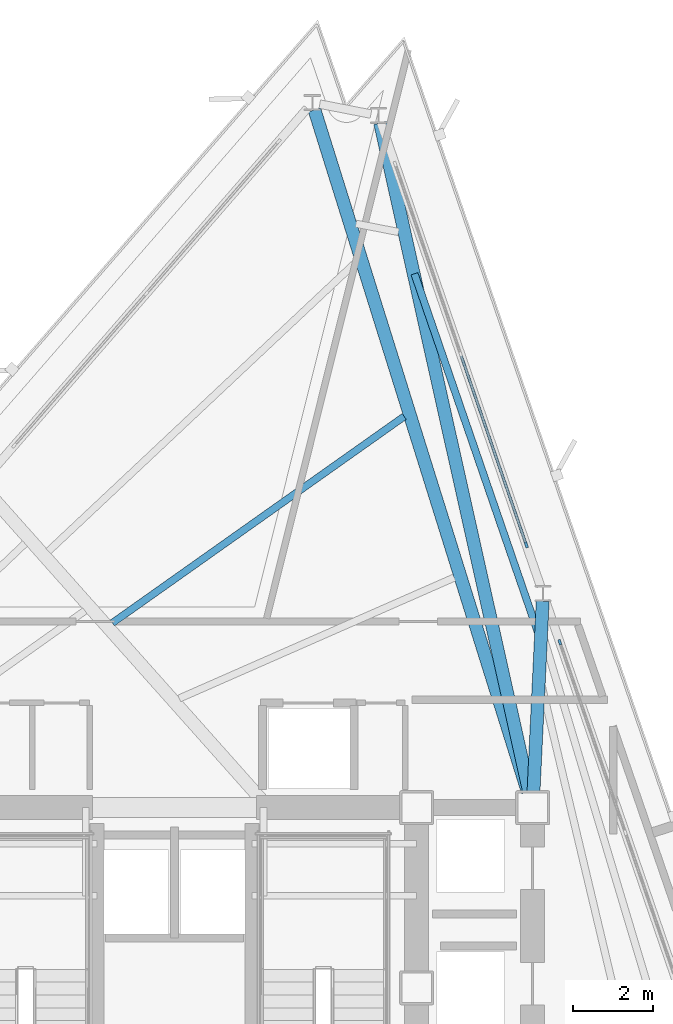
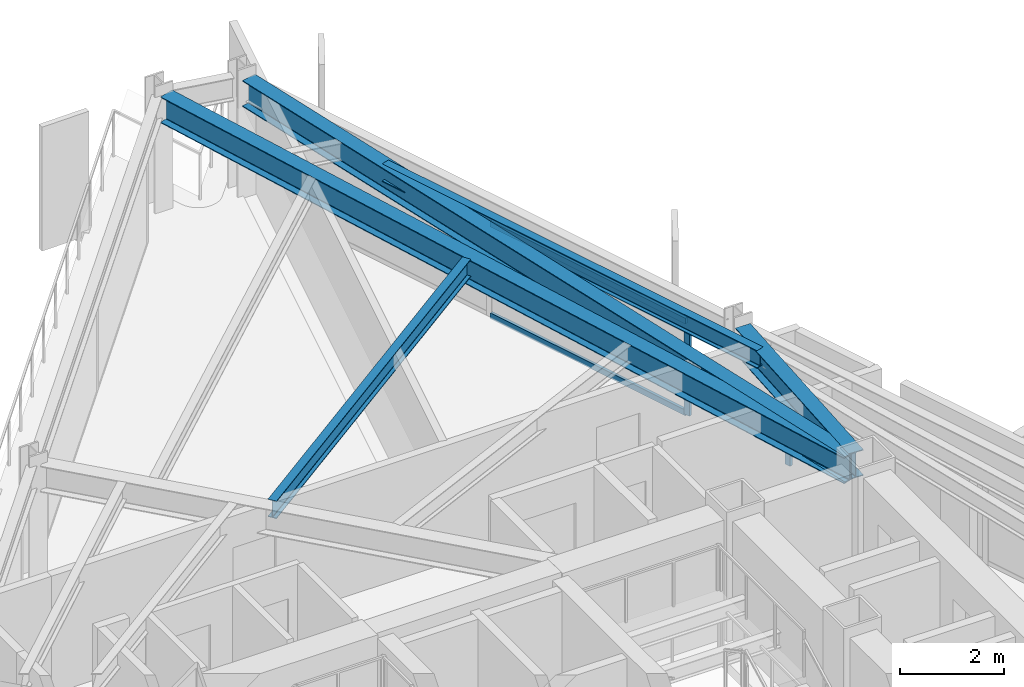
# One storey, part 5 of 13: 5 beams, 4 members, 2 elements without a shape of their own.
"""IFC4 building model written with IfcOpenShell, lengths in metres."""

from ifc_helpers import new_model, si_unit, direction, frame, origin, origin_2d, place, context, subcontext, project, spatial, rectangle, i_section, extrude, material, layer, layer_set, material_profile, profile_set, type_object, element, aggregate, save


model = new_model("IFC4")

# Units and contexts
model_context = context("Model", 3, precision=1e-05, world=origin(), true_north=direction((0.0, 1.0)))
body_context = subcontext(model_context, "Body", "Model", "MODEL_VIEW")
ifc_project = project(units=[si_unit("LENGTHUNIT", "METRE"), si_unit("AREAUNIT", "SQUARE_METRE"), si_unit("VOLUMEUNIT", "CUBIC_METRE"), si_unit("PLANEANGLEUNIT", "RADIAN"), si_unit("MASSUNIT", "GRAM", prefix="KILO")], contexts=[model_context])

# Site, building, storey
site_placement = place(None, origin())
site = spatial("IfcSite", under=ifc_project, at=site_placement, CompositionType="ELEMENT")
building_placement = place(site_placement, origin())
building = spatial("IfcBuilding", under=site, at=building_placement, Name="Rocaltana Carrier Exchange", CompositionType="ELEMENT")
storey_placement = place(building_placement, frame((0.0, 0.0, 153.280029296875)))
storey = spatial("IfcBuildingStorey", under=building, at=storey_placement, Name="L48", CompositionType="ELEMENT", Elevation=153.280029296875)

# Curtain wall, member
ifc_material_1 = material(Name="Aluminium 6063-T6", Category="aluminium")
ifc_layer = layer(ifc_material_1, 0.135009765625)
ifc_layer_set = layer_set([ifc_layer], Name="Aluminium 6063-T6")
curtain_wall_type = type_object("IfcCurtainWallType", Name="Upper-Mid Acoustic Curtain Wall CW-04", PredefinedType="NOTDEFINED", material=ifc_layer_set)
curtain_wall_1_placement = place(storey_placement, origin())
curtain_wall_1 = element("IfcCurtainWall", 1, at=curtain_wall_1_placement, inside=storey, type_object=curtain_wall_type, Name="L48 CW-04 Run CW-L48-F1S2", PredefinedType="NOTDEFINED")
ifc_material_2 = material(Name="Aluminium 6063-T6", Category="aluminium")
ifc_material_profile_1 = material_profile(ifc_material_2, rectangle(XDim=0.06494140625, YDim=0.135009765625, at=origin_2d()), Name="AL-65X135")
ifc_profile_set_1 = profile_set([ifc_material_profile_1], Name="Aluminium 6063-T6")
member_type_1 = type_object("IfcMemberType", Name="CW-04 Mullion AL-65X135", PredefinedType="MULLION", material=ifc_profile_set_1)
member_1_placement = place(storey_placement, frame((9.62548828125, 8.638671875, 0.0), z_axis=(0.0, 0.0, 1.0), x_axis=(-0.945520754562, -0.32556182622, 0.0)))
member_1 = element("IfcMember", 2, at=member_1_placement, type_object=member_type_1, Name="CW-04 mullion 3", PredefinedType="MULLION", context=body_context, shape_type="SweptSolid", body=[
    extrude(rectangle(XDim=0.06494140625, YDim=0.135009765625, at=origin_2d()), origin(), (0.0, 0.0, 1.0), 2.218017578125),
])
aggregate(curtain_wall_1, [member_1])

# Curtain wall, members
curtain_wall_2_placement = place(storey_placement, origin())
curtain_wall_2 = element("IfcCurtainWall", 3, at=curtain_wall_2_placement, inside=storey, type_object=curtain_wall_type, Name="L48 CW-04 Run CW-L48-F1S3", PredefinedType="NOTDEFINED")
member_2_placement = place(storey_placement, frame((8.79052734375, 11.063720703125, 0.0), z_axis=(0.0, 0.0, 1.0), x_axis=(-0.945521800517, -0.325558788464, 0.0)))
member_2 = element("IfcMember", 4, at=member_2_placement, type_object=member_type_1, Name="CW-04 mullion 1", PredefinedType="MULLION", context=body_context, shape_type="SweptSolid", body=[
    extrude(rectangle(XDim=0.06494140625, YDim=0.135009765625, at=origin_2d()), origin(), (0.0, 0.0, 1.0), 2.218017578125),
])
ifc_material_3 = material(Name="Aluminium 6063-T6", Category="aluminium")
ifc_material_profile_2 = material_profile(ifc_material_3, rectangle(XDim=0.06494140625, YDim=0.135009765625, at=origin_2d()), Name="AL-65X135")
ifc_profile_set_2 = profile_set([ifc_material_profile_2], Name="Aluminium 6063-T6")
member_type_2 = type_object("IfcMemberType", Name="CW-04 Transom AL-65X135", PredefinedType="USERDEFINED", material=ifc_profile_set_2)
member_3_placement = place(storey_placement, frame((8.77978515625, 11.094482421875, 0.032470703125), z_axis=(-0.325542462737, 0.945527421578, 0.0), x_axis=(-0.945527421578, -0.325542462737, 0.0)))
member_3 = element("IfcMember", 5, at=member_3_placement, type_object=member_type_2, Name="CW-04 transom 1.1", ObjectType="TRANSOM", PredefinedType="USERDEFINED", context=body_context, shape_type="SweptSolid", body=[
    extrude(rectangle(XDim=0.06494140625, YDim=0.135009765625, at=origin_2d()), origin(), (0.0, 0.0, 1.0), 4.96923828125),
])
member_4_placement = place(storey_placement, frame((8.77978515625, 11.094482421875, 2.185546875), z_axis=(-0.325542462737, 0.945527421578, 0.0), x_axis=(-0.945527421578, -0.325542462737, 0.0)))
member_4 = element("IfcMember", 6, at=member_4_placement, type_object=member_type_2, Name="CW-04 transom 1.2", ObjectType="TRANSOM", PredefinedType="USERDEFINED", context=body_context, shape_type="SweptSolid", body=[
    extrude(rectangle(XDim=0.06494140625, YDim=0.135009765625, at=origin_2d()), origin(), (0.0, 0.0, 1.0), 4.96923828125),
])
aggregate(curtain_wall_2, [member_2, member_3, member_4])

# Beams
ifc_material_4 = material(Name="Steel S355", Category="steel")
ifc_material_profile_3 = material_profile(ifc_material_4, i_section(OverallWidth=0.179931640625, OverallDepth=0.4130859375, WebThickness=0.009765625, FlangeThickness=0.01611328125, FilletRadius=0.012939453125, at=origin_2d()), Name="W16X50")
ifc_profile_set_3 = profile_set([ifc_material_profile_3], Name="Steel S355")
beam_type_1 = type_object("IfcBeamType", Name="Floor Joist W16X50", PredefinedType="JOIST", material=ifc_profile_set_3)
beam_1_placement = place(storey_placement, frame((9.1005859375, 8.8212890625, 2.58154296875), z_axis=(-0.325576687482, 0.9455156374, 0.0), x_axis=(-0.9455156374, -0.325576687482, 0.0)))
element("IfcBeam", 7, at=beam_1_placement, inside=storey, type_object=beam_type_1, Name="FJ-L48-03-3", PredefinedType="JOIST", context=body_context, shape_type="SweptSolid", body=[
    extrude(i_section(OverallWidth=0.179931640625, OverallDepth=0.4130859375, WebThickness=0.009765625, FlangeThickness=0.01611328125, FilletRadius=0.012939453125, at=origin_2d()), origin(), (0.0, 0.0, 1.0), 9.5419921875),
])
beam_2_placement = place(storey_placement, frame((5.737548828125, 14.27587890625, 2.58154296875), z_axis=(-0.816285489074, -0.577648682443, 0.0), x_axis=(0.577648682443, -0.816285489074, 0.0)))
element("IfcBeam", 8, at=beam_2_placement, inside=storey, type_object=beam_type_1, Name="FJ-L48-05-2", PredefinedType="JOIST", context=body_context, shape_type="SweptSolid", body=[
    extrude(i_section(OverallWidth=0.179931640625, OverallDepth=0.4130859375, WebThickness=0.009765625, FlangeThickness=0.01611328125, FilletRadius=0.012939453125, at=origin_2d()), origin(), (0.0, 0.0, 1.0), 8.931396484375),
])
ifc_material_5 = material(Name="Steel S355", Category="steel")
ifc_material_profile_4 = material_profile(ifc_material_5, i_section(OverallWidth=0.323974609375, OverallDepth=0.611083984375, WebThickness=0.0126953125, FlangeThickness=0.01904296875, FilletRadius=0.01611328125, at=origin_2d()), Name="W24X104")
ifc_profile_set_4 = profile_set([ifc_material_profile_4], Name="Steel S355")
beam_type_2 = type_object("IfcBeamType", Name="Radial Girder W24X104", PredefinedType="BEAM", material=ifc_profile_set_4)
beam_3_placement = place(storey_placement, frame((8.97021484375, 4.91650390625, 2.482421875), z_axis=(0.04811960059, 0.998841581052, 0.0), x_axis=(-0.998841581052, 0.04811960059, 0.0)))
element("IfcBeam", 9, at=beam_3_placement, inside=storey, type_object=beam_type_2, Name="RG-L48-03", PredefinedType="BEAM", context=body_context, shape_type="SweptSolid", body=[
    extrude(i_section(OverallWidth=0.323974609375, OverallDepth=0.611083984375, WebThickness=0.0126953125, FlangeThickness=0.01904296875, FilletRadius=0.01611328125, at=origin_2d()), origin(), (0.0, 0.0, 1.0), 4.7490234375),
])
beam_4_placement = place(storey_placement, frame((8.859375, 4.906982421875, 2.482421875), z_axis=(-0.217543729605, 0.976050575385, 0.0), x_axis=(-0.976050575385, -0.217543729605, 0.0)))
element("IfcBeam", 10, at=beam_4_placement, inside=storey, type_object=beam_type_2, Name="RG-L48-04", PredefinedType="BEAM", context=body_context, shape_type="SweptSolid", body=[
    extrude(i_section(OverallWidth=0.323974609375, OverallDepth=0.611083984375, WebThickness=0.0126953125, FlangeThickness=0.01904296875, FilletRadius=0.01611328125, at=origin_2d()), origin(), (0.0, 0.0, 1.0), 17.1123046875),
])
beam_5_placement = place(storey_placement, frame((8.825439453125, 4.89794921875, 2.482421875), z_axis=(-0.298430740748, 0.954431292958, 0.0), x_axis=(-0.954431292958, -0.298430740748, 0.0)))
element("IfcBeam", 11, at=beam_5_placement, inside=storey, type_object=beam_type_2, Name="RG-L48-05", PredefinedType="BEAM", context=body_context, shape_type="SweptSolid", body=[
    extrude(i_section(OverallWidth=0.323974609375, OverallDepth=0.611083984375, WebThickness=0.0126953125, FlangeThickness=0.01904296875, FilletRadius=0.01611328125, at=origin_2d()), origin(), (0.0, 0.0, 1.0), 17.8505859375),
])

save(model, "model.ifc")
